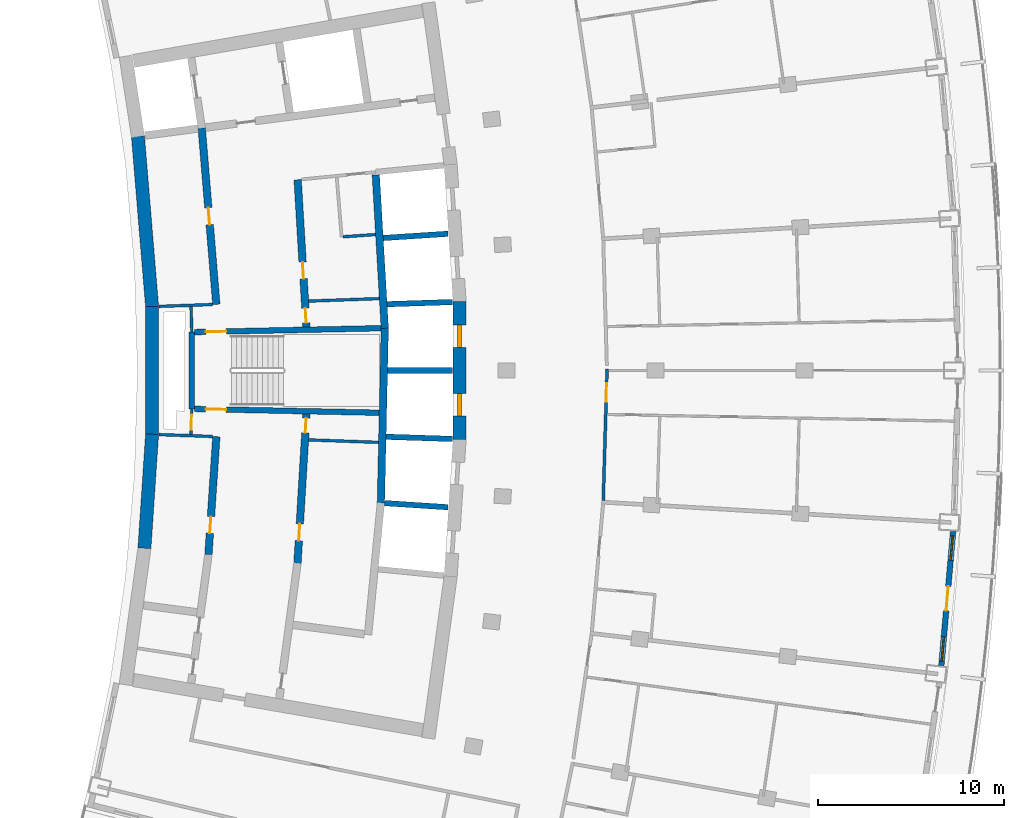
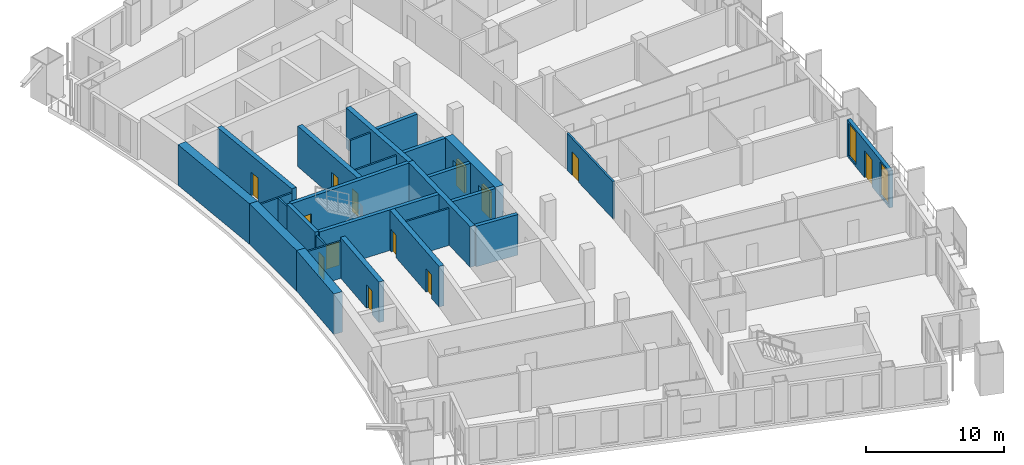
# One storey, part 12 of 20: 27 walls, 13 doors, 2 windows, 15 openings.
"""IFC4 building model written with IfcOpenShell, lengths in metres."""

from ifc_helpers import new_model, si_unit, direction, frame, frame_2d, origin, place, context, subcontext, project, spatial, rectangle, extrude, material, layer, layer_set, type_object, element, fill, save


model = new_model("IFC4")

# Units and contexts
model_context = context("Model", 3, precision=1e-05, world=origin(), true_north=direction((0.0, 1.0)))
body_context = subcontext(model_context, "Body", "Model", "MODEL_VIEW")
ifc_project = project(units=[si_unit("LENGTHUNIT", "METRE"), si_unit("AREAUNIT", "SQUARE_METRE"), si_unit("VOLUMEUNIT", "CUBIC_METRE"), si_unit("PLANEANGLEUNIT", "RADIAN"), si_unit("MASSUNIT", "GRAM", prefix="KILO")], contexts=[model_context])

# Site, building, storey
site_placement = place(None, origin())
site = spatial("IfcSite", under=ifc_project, at=site_placement, CompositionType="ELEMENT")
building_placement = place(site_placement, origin())
building = spatial("IfcBuilding", under=site, at=building_placement, Name="Alderwake Tower", CompositionType="ELEMENT")
storey_placement = place(building_placement, frame((0.0, 0.0, 153.199951171875)))
storey = spatial("IfcBuildingStorey", under=building, at=storey_placement, Name="L37", CompositionType="ELEMENT", Elevation=153.199951171875)

# Walls
ifc_material_1 = material(Name="Gypsum shaft wall system, rated")
ifc_layer_1 = layer(ifc_material_1, 0.14990234375)
ifc_layer_set_1 = layer_set([ifc_layer_1], Name="Core riser partition 150")
wall_type_1 = type_object("IfcWallType", Name="Core riser partition 150", PredefinedType="PARTITIONING", material=ifc_layer_set_1)
wall_1_placement = place(storey_placement, frame((25.1904296875, 57.276611328125, 0.0), z_axis=(0.0, 0.0, 1.0), x_axis=(0.99937350076, -0.035392173974, 0.0)))
element("IfcWall", 1, at=wall_1_placement, inside=storey, type_object=wall_type_1, Name="CW/L37/PR-37_+86", PredefinedType="PARTITIONING", context=body_context, shape_type="SweptSolid", body=[
    extrude(rectangle(XDim=3.752685546875, YDim=0.14990234375, at=frame_2d((1.87646484375, 0.0))), origin(), (0.0, 0.0, 1.0), 3.280029296875),
])
wall_2_placement = place(storey_placement, frame((25.191162109375, 64.723388671875, 0.0), z_axis=(0.0, 0.0, 1.0), x_axis=(0.999373627871, 0.035388584556, 0.0)))
element("IfcWall", 2, at=wall_2_placement, inside=storey, type_object=wall_type_1, Name="CW/L37/PR+37_+86", PredefinedType="PARTITIONING", context=body_context, shape_type="SweptSolid", body=[
    extrude(rectangle(XDim=3.79443359375, YDim=0.14990234375, at=frame_2d((1.897216796875, 0.0))), origin(), (0.0, 0.0, 1.0), 3.280029296875),
])

# Wall, opening, door
ifc_material_2 = material(Name="Gypsum shaft wall system, rated")
ifc_layer_2 = layer(ifc_material_2, 0.14990234375)
ifc_layer_set_2 = layer_set([ifc_layer_2], Name="Core room partition 150")
wall_type_2 = type_object("IfcWallType", Name="Core room partition 150", PredefinedType="PARTITIONING", material=ifc_layer_set_2)
wall_3_placement = place(storey_placement, frame((18.918701171875, 58.94384765625, 0.0), z_axis=(0.0, 0.0, 1.0), x_axis=(-0.027811602725, -0.999613182563, 0.0)))
wall_3 = element("IfcWall", 3, at=wall_3_placement, inside=storey, type_object=wall_type_2, Name="CW/L37/PA+24_-37", PredefinedType="PARTITIONING", context=body_context, shape_type="SweptSolid", body=[
    extrude(rectangle(XDim=1.369384765625, YDim=0.14990234375, at=frame_2d((0.6845703125, 0.0))), origin(), (0.0, 0.0, 1.0), 3.280029296875),
])
opening_1_placement = place(wall_3_placement, frame((0.322998046875, 0.0, 0.0)))
opening_1 = element("IfcOpeningElement", 4, at=opening_1_placement, cuts=wall_3, Name="Opening C004", PredefinedType="OPENING", context=body_context, shape_type="SweptSolid", body=[
    extrude(rectangle(XDim=0.800048828125, YDim=2.0, at=frame_2d((0.39990234375, 1.0))), frame((0.0, 0.0849609375, 0.0), z_axis=(0.0, -1.0, 0.0), x_axis=(1.0, 0.0, 0.0)), (0.0, 0.0, 1.0), 0.169921875),
])
ifc_material_3 = material(Name="Painted steel leaf, rated", Category="steel")
door_type_1 = type_object("IfcDoorType", Name="Riser access door 800", OperationType="SINGLE_SWING_LEFT", PredefinedType="DOOR", material=ifc_material_3)
door_1_placement = place(opening_1_placement, origin())
door_1 = element("IfcDoor", 5, at=door_1_placement, inside=storey, type_object=door_type_1, Name="Riser access door", OperationType="SINGLE_SWING_RIGHT", OverallHeight=2.0, OverallWidth=0.800048828125, PredefinedType="DOOR", context=body_context, shape_type="SweptSolid", body=[
    extrude(rectangle(XDim=0.800048828125, YDim=2.0, at=frame_2d((0.39990234375, 1.0))), frame((0.0, 0.02490234375, 0.0), z_axis=(0.0, -1.0, 0.0), x_axis=(1.0, 0.0, 0.0)), (0.0, 0.0, 1.0), 0.050048828125),
])
fill(opening_1, door_1)

# Walls
wall_4_placement = place(storey_placement, frame((18.918701171875, 63.05517578125, 0.0), z_axis=(0.0, 0.0, 1.0), x_axis=(-0.027791791559, 0.99961373356, 0.0)))
element("IfcWall", 6, at=wall_4_placement, inside=storey, type_object=wall_type_2, Name="CW/L37/PA+24_+22", PredefinedType="PARTITIONING", context=body_context, shape_type="SweptSolid", body=[
    extrude(rectangle(XDim=1.370361328125, YDim=0.14990234375, at=frame_2d((0.68505859375, 0.0))), origin(), (0.0, 0.0, 1.0), 3.280029296875),
])
wall_5_placement = place(storey_placement, frame((17.169189453125, 57.560546875, 0.0), z_axis=(0.0, 0.0, 1.0), x_axis=(0.999373538371, -0.03539111194, 0.0)))
element("IfcWall", 7, at=wall_5_placement, inside=storey, type_object=wall_type_2, Name="CW/L37/PR-37_+0", PredefinedType="PARTITIONING", context=body_context, shape_type="SweptSolid", body=[
    extrude(rectangle(XDim=2.86962890625, YDim=0.14990234375, at=frame_2d((1.434814453125, 0.0))), origin(), (0.0, 0.0, 1.0), 3.280029296875),
])
wall_6_placement = place(storey_placement, frame((17.16943359375, 64.439453125, 0.0), z_axis=(0.0, 0.0, 1.0), x_axis=(0.999373431798, 0.035394121201, 0.0)))
element("IfcWall", 8, at=wall_6_placement, inside=storey, type_object=wall_type_2, Name="CW/L37/PR+37_+0", PredefinedType="PARTITIONING", context=body_context, shape_type="SweptSolid", body=[
    extrude(rectangle(XDim=2.869384765625, YDim=0.14990234375, at=frame_2d((1.4345703125, 0.0))), origin(), (0.0, 0.0, 1.0), 3.280029296875),
])
wall_7_placement = place(storey_placement, frame((27.034912109375, 68.175537109375, 0.0), z_axis=(0.0, 0.0, 1.0), x_axis=(0.997757929195, 0.066926188655, 0.0)))
element("IfcWall", 9, at=wall_7_placement, inside=storey, type_object=wall_type_2, Name="CW/L37/PR+70_+107", PredefinedType="PARTITIONING", context=body_context, shape_type="SweptSolid", body=[
    extrude(rectangle(XDim=1.7509765625, YDim=0.14990234375, at=frame_2d((0.87548828125, 0.0))), origin(), (0.0, 0.0, 1.0), 3.280029296875),
])
ifc_material_4 = material(Name="Concrete C70/85", Category="concrete")
ifc_layer_3 = layer(ifc_material_4, 0.699951171875)
ifc_layer_set_3 = layer_set([ifc_layer_3], Name="Core wall outer 700 C70-85")
wall_type_3 = type_object("IfcWallType", Name="Core wall outer 700 C70-85", PredefinedType="SHEAR", material=ifc_layer_set_3)
wall_8_placement = place(storey_placement, frame((16.379638671875, 51.46337890625, 0.0), z_axis=(0.0, 0.0, 1.0), x_axis=(0.066917731608, 0.997758496429, 0.0)))
element("IfcWall", 10, at=wall_8_placement, inside=storey, type_object=wall_type_3, Name="Core wall CW.041", PredefinedType="SHEAR", context=body_context, shape_type="SweptSolid", body=[
    extrude(rectangle(XDim=6.136474609375, YDim=0.699951171875, at=frame_2d((3.068359375, 0.0))), origin(), (0.0, 0.0, 1.0), 3.60009765625),
])
wall_9_placement = place(storey_placement, frame((16.789306640625, 57.561767578125, 0.0), z_axis=(0.0, 0.0, 1.0), x_axis=(0.0, 1.0, 0.0)))
element("IfcWall", 11, at=wall_9_placement, inside=storey, type_object=wall_type_3, Name="Core wall CW.043", PredefinedType="SHEAR", context=body_context, shape_type="SweptSolid", body=[
    extrude(rectangle(XDim=6.87939453125, YDim=0.699951171875, at=frame_2d((3.439697265625, 0.0))), origin(), (0.0, 0.0, 1.0), 3.60009765625),
])
wall_10_placement = place(storey_placement, frame((16.79052734375, 64.4111328125, 0.0), z_axis=(0.0, 0.0, 1.0), x_axis=(-0.082616907099, 0.996581379849, 0.0)))
element("IfcWall", 12, at=wall_10_placement, inside=storey, type_object=wall_type_3, Name="Core wall CW.040", PredefinedType="SHEAR", context=body_context, shape_type="SweptSolid", body=[
    extrude(rectangle(XDim=9.193359375, YDim=0.699951171875, at=frame_2d((4.5966796875, 0.0))), origin(), (0.0, 0.0, 1.0), 3.60009765625),
])

# Wall, openings, doors
wall_11_placement = place(storey_placement, frame((33.2900390625, 57.30322265625, 0.0), z_axis=(0.0, 0.0, 1.0), x_axis=(0.0, 1.0, 0.0)))
wall_11 = element("IfcWall", 13, at=wall_11_placement, inside=storey, type_object=wall_type_3, Name="Core wall CW.013", PredefinedType="SHEAR", context=body_context, shape_type="SweptSolid", body=[
    extrude(rectangle(XDim=7.3935546875, YDim=0.699951171875, at=frame_2d((3.69677734375, 0.0))), origin(), (0.0, 0.0, 1.0), 3.60009765625),
])
opening_2_placement = place(wall_11_placement, frame((1.254150390625, 0.0, 0.0)))
opening_2 = element("IfcOpeningElement", 14, at=opening_2_placement, cuts=wall_11, Name="Opening LD-HP3", PredefinedType="OPENING", context=body_context, shape_type="SweptSolid", body=[
    extrude(rectangle(XDim=1.199951171875, YDim=2.300048828125, at=frame_2d((0.60009765625, 1.14990234375))), frame((0.0, 0.35986328125, 0.0), z_axis=(0.0, -1.0, 0.0), x_axis=(1.0, 0.0, 0.0)), (0.0, 0.0, 1.0), 0.719970703125),
])
opening_3_placement = place(wall_11_placement, frame((4.939208984375, 0.0, 0.0)))
opening_3 = element("IfcOpeningElement", 15, at=opening_3_placement, cuts=wall_11, Name="Opening LD-HP4", PredefinedType="OPENING", context=body_context, shape_type="SweptSolid", body=[
    extrude(rectangle(XDim=1.199951171875, YDim=2.300048828125, at=frame_2d((0.60009765625, 1.14990234375))), frame((0.0, 0.35986328125, 0.0), z_axis=(0.0, -1.0, 0.0), x_axis=(1.0, 0.0, 0.0)), (0.0, 0.0, 1.0), 0.719970703125),
])
ifc_material_5 = material(Name="Stainless steel sliding leaf", Category="steel")
door_type_2 = type_object("IfcDoorType", Name="Lift landing door 1200", OperationType="SLIDING_TO_LEFT", PredefinedType="DOOR", material=ifc_material_5)
door_2_placement = place(opening_2_placement, origin())
door_2 = element("IfcDoor", 16, at=door_2_placement, inside=storey, type_object=door_type_2, Name="Lift landing door HP3", OperationType="SLIDING_TO_LEFT", OverallHeight=2.300048828125, OverallWidth=1.199951171875, PredefinedType="DOOR", context=body_context, shape_type="SweptSolid", body=[
    extrude(rectangle(XDim=1.199951171875, YDim=2.300048828125, at=frame_2d((0.60009765625, 1.14990234375))), frame((0.0, 0.10009765625, 0.0), z_axis=(0.0, -1.0, 0.0), x_axis=(1.0, 0.0, 0.0)), (0.0, 0.0, 1.0), 0.199951171875),
])
fill(opening_2, door_2)
door_3_placement = place(opening_3_placement, origin())
door_3 = element("IfcDoor", 17, at=door_3_placement, inside=storey, type_object=door_type_2, Name="Lift landing door HP4", OperationType="SLIDING_TO_LEFT", OverallHeight=2.300048828125, OverallWidth=1.199951171875, PredefinedType="DOOR", context=body_context, shape_type="SweptSolid", body=[
    extrude(rectangle(XDim=1.199951171875, YDim=2.300048828125, at=frame_2d((0.60009765625, 1.14990234375))), frame((0.0, 0.10009765625, 0.0), z_axis=(0.0, -1.0, 0.0), x_axis=(1.0, 0.0, 0.0)), (0.0, 0.0, 1.0), 0.199951171875),
])
fill(opening_3, door_3)

# Walls
ifc_material_6 = material(Name="Concrete C70/85", Category="concrete")
ifc_layer_4 = layer(ifc_material_6, 0.300048828125)
ifc_layer_set_4 = layer_set([ifc_layer_4], Name="Core wall shaft 300 C70-85")
wall_type_4 = type_object("IfcWallType", Name="Core wall shaft 300 C70-85", PredefinedType="SHEAR", material=ifc_layer_set_4)
wall_12_placement = place(storey_placement, frame((29.268798828125, 53.884521484375, 0.0), z_axis=(0.0, 0.0, 1.0), x_axis=(0.997884450261, -0.065012490553, 0.0)))
element("IfcWall", 18, at=wall_12_placement, inside=storey, type_object=wall_type_4, Name="Core wall CW.078", PredefinedType="SHEAR", context=body_context, shape_type="SweptSolid", body=[
    extrude(rectangle(XDim=3.409912109375, YDim=0.300048828125, at=frame_2d((1.705078125, 0.0))), origin(), (0.0, 0.0, 1.0), 3.60009765625),
])
wall_13_placement = place(storey_placement, frame((29.347412109375, 57.443603515625, 0.0), z_axis=(0.0, 0.0, 1.0), x_axis=(0.999470674121, -0.03253262319, 0.0)))
element("IfcWall", 19, at=wall_13_placement, inside=storey, type_object=wall_type_4, Name="Core wall CW.075", PredefinedType="SHEAR", context=body_context, shape_type="SweptSolid", body=[
    extrude(rectangle(XDim=3.564697265625, YDim=0.300048828125, at=frame_2d((1.7822265625, 0.0))), origin(), (0.0, 0.0, 1.0), 3.60009765625),
])
wall_14_placement = place(storey_placement, frame((29.426025390625, 61.0, 0.0), z_axis=(0.0, 0.0, 1.0), x_axis=(1.0, 0.0, 0.0)))
element("IfcWall", 20, at=wall_14_placement, inside=storey, type_object=wall_type_4, Name="Core wall CW.048", PredefinedType="SHEAR", context=body_context, shape_type="SweptSolid", body=[
    extrude(rectangle(XDim=3.484130859375, YDim=0.300048828125, at=frame_2d((1.7421875, 0.0))), origin(), (0.0, 0.0, 1.0), 3.60009765625),
])
wall_15_placement = place(storey_placement, frame((29.401611328125, 64.558349609375, 0.0), z_axis=(0.0, 0.0, 1.0), x_axis=(0.999472422829, 0.032478854739, 0.0)))
element("IfcWall", 21, at=wall_15_placement, inside=storey, type_object=wall_type_4, Name="Core wall CW.058", PredefinedType="SHEAR", context=body_context, shape_type="SweptSolid", body=[
    extrude(rectangle(XDim=3.510498046875, YDim=0.300048828125, at=frame_2d((1.75537109375, 0.0))), origin(), (0.0, 0.0, 1.0), 3.60009765625),
])
wall_16_placement = place(storey_placement, frame((29.193603515625, 68.110595703125, 0.0), z_axis=(0.0, 0.0, 1.0), x_axis=(0.997884751549, 0.065007865878, 0.0)))
element("IfcWall", 22, at=wall_16_placement, inside=storey, type_object=wall_type_4, Name="Core wall CW.061", PredefinedType="SHEAR", context=body_context, shape_type="SweptSolid", body=[
    extrude(rectangle(XDim=3.485107421875, YDim=0.300048828125, at=frame_2d((1.74267578125, 0.0))), origin(), (0.0, 0.0, 1.0), 3.60009765625),
])

# Wall, opening, door
ifc_material_7 = material(Name="Concrete C70/85", Category="concrete")
ifc_layer_5 = layer(ifc_material_7, 0.39990234375)
ifc_layer_set_5 = layer_set([ifc_layer_5], Name="Core wall spine 400 C70-85")
wall_type_5 = type_object("IfcWallType", Name="Core wall spine 400 C70-85", PredefinedType="SHEAR", material=ifc_layer_set_5)
wall_17_placement = place(storey_placement, frame((20.2373046875, 57.451904296875, 0.0), z_axis=(0.0, 0.0, 1.0), x_axis=(-0.066887252767, -0.997760540118, 0.0)))
wall_17 = element("IfcWall", 23, at=wall_17_placement, inside=storey, type_object=wall_type_5, Name="Core wall CW.032", PredefinedType="SHEAR", context=body_context, shape_type="SweptSolid", body=[
    extrude(rectangle(XDim=6.33642578125, YDim=0.39990234375, at=frame_2d((3.168212890625, 0.0))), origin(), (0.0, 0.0, 1.0), 3.60009765625),
])
opening_4_placement = place(wall_17_placement, frame((4.29736328125, 0.0, 0.0)))
opening_4 = element("IfcOpeningElement", 24, at=opening_4_placement, cuts=wall_17, Name="Opening C037", PredefinedType="OPENING", context=body_context, shape_type="SweptSolid", body=[
    extrude(rectangle(XDim=0.89990234375, YDim=2.10009765625, at=frame_2d((0.449951171875, 1.050048828125))), frame((0.0, 0.2099609375, 0.0), z_axis=(0.0, -1.0, 0.0), x_axis=(1.0, 0.0, 0.0)), (0.0, 0.0, 1.0), 0.419921875),
])
ifc_material_8 = material(Name="Painted steel leaf", Category="steel")
door_type_3 = type_object("IfcDoorType", Name="Core room door 900", OperationType="SINGLE_SWING_LEFT", PredefinedType="DOOR", material=ifc_material_8)
door_4_placement = place(opening_4_placement, origin())
door_4 = element("IfcDoor", 25, at=door_4_placement, inside=storey, type_object=door_type_3, Name="Room door", OperationType="SINGLE_SWING_RIGHT", OverallHeight=2.10009765625, OverallWidth=0.89990234375, PredefinedType="DOOR", context=body_context, shape_type="SweptSolid", body=[
    extrude(rectangle(XDim=0.89990234375, YDim=2.10009765625, at=frame_2d((0.449951171875, 1.050048828125))), frame((0.0, 0.02490234375, 0.0), z_axis=(0.0, -1.0, 0.0), x_axis=(1.0, 0.0, 0.0)), (0.0, 0.0, 1.0), 0.050048828125),
])
fill(opening_4, door_4)

wall_18_placement = place(storey_placement, frame((19.452392578125, 74.014892578125, 0.0), z_axis=(0.0, 0.0, 1.0), x_axis=(0.082628585297, -0.996580411654, 0.0)))
wall_18 = element("IfcWall", 26, at=wall_18_placement, inside=storey, type_object=wall_type_5, Name="Core wall CW.031", PredefinedType="SHEAR", context=body_context, shape_type="SweptSolid", body=[
    extrude(rectangle(XDim=9.499267578125, YDim=0.39990234375, at=frame_2d((4.74951171875, 0.0))), origin(), (0.0, 0.0, 1.0), 3.60009765625),
])
opening_5_placement = place(wall_18_placement, frame((4.302978515625, 0.0, 0.0)))
opening_5 = element("IfcOpeningElement", 27, at=opening_5_placement, cuts=wall_18, Name="Opening C051", PredefinedType="OPENING", context=body_context, shape_type="SweptSolid", body=[
    extrude(rectangle(XDim=0.89990234375, YDim=2.10009765625, at=frame_2d((0.449951171875, 1.050048828125))), frame((0.0, 0.2099609375, 0.0), z_axis=(0.0, -1.0, 0.0), x_axis=(1.0, 0.0, 0.0)), (0.0, 0.0, 1.0), 0.419921875),
])
door_5_placement = place(opening_5_placement, origin())
door_5 = element("IfcDoor", 28, at=door_5_placement, inside=storey, type_object=door_type_3, Name="Room door", OperationType="SINGLE_SWING_RIGHT", OverallHeight=2.10009765625, OverallWidth=0.89990234375, PredefinedType="DOOR", context=body_context, shape_type="SweptSolid", body=[
    extrude(rectangle(XDim=0.89990234375, YDim=2.10009765625, at=frame_2d((0.449951171875, 1.050048828125))), frame((0.0, 0.02490234375, 0.0), z_axis=(0.0, -1.0, 0.0), x_axis=(1.0, 0.0, 0.0)), (0.0, 0.0, 1.0), 0.050048828125),
])
fill(opening_5, door_5)

# Wall, openings, doors
wall_19_placement = place(storey_placement, frame((24.590087890625, 50.656982421875, 0.0), z_axis=(0.0, 0.0, 1.0), x_axis=(0.060320473855, 0.99817906231, 0.0)))
wall_19 = element("IfcWall", 29, at=wall_19_placement, inside=storey, type_object=wall_type_5, Name="Core wall CW.046", PredefinedType="SHEAR", context=body_context, shape_type="SweptSolid", body=[
    extrude(rectangle(XDim=8.02197265625, YDim=0.39990234375, at=frame_2d((4.010986328125, 0.0))), origin(), (0.0, 0.0, 1.0), 3.60009765625),
])
opening_6_placement = place(wall_19_placement, frame((7.005859375, 0.0, 0.0)))
opening_6 = element("IfcOpeningElement", 30, at=opening_6_placement, cuts=wall_19, Name="Opening C006", PredefinedType="OPENING", context=body_context, shape_type="SweptSolid", body=[
    extrude(rectangle(XDim=0.800048828125, YDim=2.0, at=frame_2d((0.39990234375, 1.0))), frame((0.0, 0.2099609375, 0.0), z_axis=(0.0, -1.0, 0.0), x_axis=(1.0, 0.0, 0.0)), (0.0, 0.0, 1.0), 0.419921875),
])
opening_7_placement = place(wall_19_placement, frame((1.21533203125, 0.0, 0.0)))
opening_7 = element("IfcOpeningElement", 31, at=opening_7_placement, cuts=wall_19, Name="Opening C043", PredefinedType="OPENING", context=body_context, shape_type="SweptSolid", body=[
    extrude(rectangle(XDim=0.89990234375, YDim=2.10009765625, at=frame_2d((0.449951171875, 1.050048828125))), frame((0.0, 0.2099609375, 0.0), z_axis=(0.0, -1.0, 0.0), x_axis=(1.0, 0.0, 0.0)), (0.0, 0.0, 1.0), 0.419921875),
])
door_6_placement = place(opening_7_placement, origin())
door_6 = element("IfcDoor", 32, at=door_6_placement, inside=storey, type_object=door_type_3, Name="Room door", OperationType="SINGLE_SWING_LEFT", OverallHeight=2.10009765625, OverallWidth=0.89990234375, PredefinedType="DOOR", context=body_context, shape_type="SweptSolid", body=[
    extrude(rectangle(XDim=0.89990234375, YDim=2.10009765625, at=frame_2d((0.449951171875, 1.050048828125))), frame((0.0, 0.02490234375, 0.0), z_axis=(0.0, -1.0, 0.0), x_axis=(1.0, 0.0, 0.0)), (0.0, 0.0, 1.0), 0.050048828125),
])
fill(opening_7, door_6)
door_7_placement = place(opening_6_placement, origin())
door_7 = element("IfcDoor", 33, at=door_7_placement, inside=storey, type_object=door_type_1, Name="Riser access door", OperationType="SINGLE_SWING_RIGHT", OverallHeight=2.0, OverallWidth=0.800048828125, PredefinedType="DOOR", context=body_context, shape_type="SweptSolid", body=[
    extrude(rectangle(XDim=0.800048828125, YDim=2.0, at=frame_2d((0.39990234375, 1.0))), frame((0.0, 0.02490234375, 0.0), z_axis=(0.0, -1.0, 0.0), x_axis=(1.0, 0.0, 0.0)), (0.0, 0.0, 1.0), 0.050048828125),
])
fill(opening_6, door_7)

wall_20_placement = place(storey_placement, frame((25.073974609375, 63.335693359375, 0.0), z_axis=(0.0, 0.0, 1.0), x_axis=(-0.059848641072, 0.998207463487, 0.0)))
wall_20 = element("IfcWall", 34, at=wall_20_placement, inside=storey, type_object=wall_type_5, Name="Core wall CW.045", PredefinedType="SHEAR", context=body_context, shape_type="SweptSolid", body=[
    extrude(rectangle(XDim=7.913818359375, YDim=0.39990234375, at=frame_2d((3.95703125, 0.0))), origin(), (0.0, 0.0, 1.0), 3.60009765625),
])
opening_8_placement = place(wall_20_placement, frame((0.216064453125, 0.0, 0.0)))
opening_8 = element("IfcOpeningElement", 35, at=opening_8_placement, cuts=wall_20, Name="Opening C005", PredefinedType="OPENING", context=body_context, shape_type="SweptSolid", body=[
    extrude(rectangle(XDim=0.800048828125, YDim=2.0, at=frame_2d((0.39990234375, 1.0))), frame((0.0, 0.2099609375, 0.0), z_axis=(0.0, -1.0, 0.0), x_axis=(1.0, 0.0, 0.0)), (0.0, 0.0, 1.0), 0.419921875),
])
opening_9_placement = place(wall_20_placement, frame((2.590087890625, 0.0, 0.0)))
opening_9 = element("IfcOpeningElement", 36, at=opening_9_placement, cuts=wall_20, Name="Opening C058", PredefinedType="OPENING", context=body_context, shape_type="SweptSolid", body=[
    extrude(rectangle(XDim=0.89990234375, YDim=2.10009765625, at=frame_2d((0.449951171875, 1.050048828125))), frame((0.0, 0.2099609375, 0.0), z_axis=(0.0, -1.0, 0.0), x_axis=(1.0, 0.0, 0.0)), (0.0, 0.0, 1.0), 0.419921875),
])
door_8_placement = place(opening_9_placement, origin())
door_8 = element("IfcDoor", 37, at=door_8_placement, inside=storey, type_object=door_type_3, Name="Room door", OperationType="SINGLE_SWING_LEFT", OverallHeight=2.10009765625, OverallWidth=0.89990234375, PredefinedType="DOOR", context=body_context, shape_type="SweptSolid", body=[
    extrude(rectangle(XDim=0.89990234375, YDim=2.10009765625, at=frame_2d((0.449951171875, 1.050048828125))), frame((0.0, 0.02490234375, 0.0), z_axis=(0.0, -1.0, 0.0), x_axis=(1.0, 0.0, 0.0)), (0.0, 0.0, 1.0), 0.050048828125),
])
fill(opening_9, door_8)
door_9_placement = place(opening_8_placement, origin())
door_9 = element("IfcDoor", 38, at=door_9_placement, inside=storey, type_object=door_type_1, Name="Riser access door", OperationType="SINGLE_SWING_LEFT", OverallHeight=2.0, OverallWidth=0.800048828125, PredefinedType="DOOR", context=body_context, shape_type="SweptSolid", body=[
    extrude(rectangle(XDim=0.800048828125, YDim=2.0, at=frame_2d((0.39990234375, 1.0))), frame((0.0, 0.02490234375, 0.0), z_axis=(0.0, -1.0, 0.0), x_axis=(1.0, 0.0, 0.0)), (0.0, 0.0, 1.0), 0.050048828125),
])
fill(opening_8, door_9)

# Walls
wall_21_placement = place(storey_placement, frame((29.06884765625, 53.889404296875, 0.0), z_axis=(0.0, 0.0, 1.0), x_axis=(0.022115148322, 0.9997554302, 0.0)))
element("IfcWall", 39, at=wall_21_placement, inside=storey, type_object=wall_type_5, Name="Core wall CW.008", PredefinedType="SHEAR", context=body_context, shape_type="SweptSolid", body=[
    extrude(rectangle(XDim=9.39453125, YDim=0.39990234375, at=frame_2d((4.697265625, 0.0))), origin(), (0.0, 0.0, 1.0), 3.60009765625),
])
wall_22_placement = place(storey_placement, frame((29.27685546875, 63.2646484375, 0.0), z_axis=(0.0, 0.0, 1.0), x_axis=(-0.0584546922, 0.998290062537, 0.0)))
element("IfcWall", 40, at=wall_22_placement, inside=storey, type_object=wall_type_5, Name="Core wall CW.002", PredefinedType="SHEAR", context=body_context, shape_type="SweptSolid", body=[
    extrude(rectangle(XDim=8.24462890625, YDim=0.39990234375, at=frame_2d((4.122314453125, 0.0))), origin(), (0.0, 0.0, 1.0), 3.60009765625),
])
ifc_material_9 = material(Name="Concrete C70/85", Category="concrete")
ifc_layer_6 = layer(ifc_material_9, 0.300048828125)
ifc_layer_set_6 = layer_set([ifc_layer_6], Name="Core wall stair enclosure 300 C70-85")
wall_type_6 = type_object("IfcWallType", Name="Core wall stair enclosure 300 C70-85", PredefinedType="SHEAR", material=ifc_layer_set_6)
wall_23_placement = place(storey_placement, frame((18.918701171875, 58.940673828125, 0.0), z_axis=(0.0, 0.0, 1.0), x_axis=(0.0, 1.0, 0.0)))
element("IfcWall", 41, at=wall_23_placement, inside=storey, type_object=wall_type_6, Name="Core wall CW.024", PredefinedType="SHEAR", context=body_context, shape_type="SweptSolid", body=[
    extrude(rectangle(XDim=4.11962890625, YDim=0.300048828125, at=frame_2d((2.059814453125, 0.0))), origin(), (0.0, 0.0, 1.0), 3.60009765625),
])

# Wall, opening, door
wall_24_placement = place(storey_placement, frame((28.975830078125, 58.733154296875, 0.0), z_axis=(0.0, 0.0, 1.0), x_axis=(-0.999783782948, 0.020793925895, 0.0)))
wall_24 = element("IfcWall", 42, at=wall_24_placement, inside=storey, type_object=wall_type_6, Name="Core wall CW.074", PredefinedType="SHEAR", context=body_context, shape_type="SweptSolid", body=[
    extrude(rectangle(XDim=9.909423828125, YDim=0.300048828125, at=frame_2d((4.95458984375, 0.0))), origin(), (0.0, 0.0, 1.0), 3.60009765625),
])
opening_10_placement = place(wall_24_placement, frame((8.20947265625, 0.0, 0.0)))
opening_10 = element("IfcOpeningElement", 43, at=opening_10_placement, cuts=wall_24, Name="Opening C063", PredefinedType="OPENING", context=body_context, shape_type="SweptSolid", body=[
    extrude(rectangle(XDim=1.10009765625, YDim=2.10009765625, at=frame_2d((0.550048828125, 1.050048828125))), frame((0.0, 0.159912109375, 0.0), z_axis=(0.0, -1.0, 0.0), x_axis=(1.0, 0.0, 0.0)), (0.0, 0.0, 1.0), 0.320068359375),
])
ifc_material_10 = material(Name="Steel-framed fire door leaf", Category="steel")
door_type_4 = type_object("IfcDoorType", Name="Core stair door 1100 fire-rated", OperationType="SINGLE_SWING_LEFT", PredefinedType="DOOR", material=ifc_material_10)
door_10_placement = place(opening_10_placement, origin())
door_10 = element("IfcDoor", 44, at=door_10_placement, inside=storey, type_object=door_type_4, Name="Stair door", OperationType="SINGLE_SWING_LEFT", OverallHeight=2.10009765625, OverallWidth=1.10009765625, PredefinedType="DOOR", context=body_context, shape_type="SweptSolid", body=[
    extrude(rectangle(XDim=1.10009765625, YDim=2.10009765625, at=frame_2d((0.550048828125, 1.050048828125))), frame((0.0, 0.02490234375, 0.0), z_axis=(0.0, -1.0, 0.0), x_axis=(1.0, 0.0, 0.0)), (0.0, 0.0, 1.0), 0.050048828125),
])
fill(opening_10, door_10)

wall_25_placement = place(storey_placement, frame((19.068603515625, 63.060791015625, 0.0), z_axis=(0.0, 0.0, 1.0), x_axis=(0.999783553773, 0.02080494185, 0.0)))
wall_25 = element("IfcWall", 45, at=wall_25_placement, inside=storey, type_object=wall_type_6, Name="Core wall CW.057", PredefinedType="SHEAR", context=body_context, shape_type="SweptSolid", body=[
    extrude(rectangle(XDim=10.009765625, YDim=0.300048828125, at=frame_2d((5.0048828125, 0.0))), origin(), (0.0, 0.0, 1.0), 3.60009765625),
])
opening_11_placement = place(wall_25_placement, frame((0.60009765625, 0.0, 0.0)))
opening_11 = element("IfcOpeningElement", 46, at=opening_11_placement, cuts=wall_25, Name="Opening C064", PredefinedType="OPENING", context=body_context, shape_type="SweptSolid", body=[
    extrude(rectangle(XDim=1.10009765625, YDim=2.10009765625, at=frame_2d((0.550048828125, 1.050048828125))), frame((0.0, 0.159912109375, 0.0), z_axis=(0.0, -1.0, 0.0), x_axis=(1.0, 0.0, 0.0)), (0.0, 0.0, 1.0), 0.320068359375),
])
door_11_placement = place(opening_11_placement, origin())
door_11 = element("IfcDoor", 47, at=door_11_placement, inside=storey, type_object=door_type_4, Name="Stair door", OperationType="SINGLE_SWING_RIGHT", OverallHeight=2.10009765625, OverallWidth=1.10009765625, PredefinedType="DOOR", context=body_context, shape_type="SweptSolid", body=[
    extrude(rectangle(XDim=1.10009765625, YDim=2.10009765625, at=frame_2d((0.550048828125, 1.050048828125))), frame((0.0, 0.02490234375, 0.0), z_axis=(0.0, -1.0, 0.0), x_axis=(1.0, 0.0, 0.0)), (0.0, 0.0, 1.0), 0.050048828125),
])
fill(opening_11, door_11)

ifc_material_11 = material(Name="Gypsum board on metal studs, rated")
ifc_layer_7 = layer(ifc_material_11, 0.159912109375)
ifc_layer_set_7 = layer_set([ifc_layer_7], Name="Corridor wall 160")
wall_type_7 = type_object("IfcWallType", Name="Corridor wall 160", PredefinedType="PARTITIONING", material=ifc_layer_set_7)
wall_26_placement = place(storey_placement, frame((41.201416015625, 61.0791015625, 0.0), z_axis=(0.0, 0.0, 1.0), x_axis=(-0.028889070526, -0.999582623701, 0.0)))
wall_26 = element("IfcWall", 48, at=wall_26_placement, inside=storey, type_object=wall_type_7, Name="WL/L37/W26", PredefinedType="PARTITIONING", context=body_context, shape_type="SweptSolid", body=[
    extrude(rectangle(XDim=7.048095703125, YDim=0.159912109375, at=frame_2d((3.52392578125, 0.0))), origin(), (0.0, 0.0, 1.0), 3.280029296875),
])
opening_12_placement = place(wall_26_placement, frame((0.757080078125, 0.0, 0.0)))
opening_12 = element("IfcOpeningElement", 49, at=opening_12_placement, cuts=wall_26, Name="Opening R10-U05.2", PredefinedType="OPENING", context=body_context, shape_type="SweptSolid", body=[
    extrude(rectangle(XDim=1.0, YDim=2.10009765625, at=frame_2d((0.5, 1.050048828125))), frame((0.0, 0.08984375, 0.0), z_axis=(0.0, -1.0, 0.0), x_axis=(1.0, 0.0, 0.0)), (0.0, 0.0, 1.0), 0.179931640625),
])
ifc_material_12 = material(Name="Solid timber leaf in steel frame", Category="steel")
door_type_5 = type_object("IfcDoorType", Name="Flat entrance door 1000 fire-rated", OperationType="SINGLE_SWING_LEFT", PredefinedType="DOOR", material=ifc_material_12)
door_12_placement = place(opening_12_placement, origin())
door_12 = element("IfcDoor", 50, at=door_12_placement, inside=storey, type_object=door_type_5, Name="DR/L37/U05.2", OperationType="SINGLE_SWING_LEFT", OverallHeight=2.10009765625, OverallWidth=1.0, PredefinedType="DOOR", context=body_context, shape_type="SweptSolid", body=[
    extrude(rectangle(XDim=1.0, YDim=2.10009765625, at=frame_2d((0.5, 1.050048828125))), frame((0.0, 0.02490234375, 0.0), z_axis=(0.0, -1.0, 0.0), x_axis=(1.0, 0.0, 0.0)), (0.0, 0.0, 1.0), 0.050048828125),
])
fill(opening_12, door_12)

# Wall, openings, door, windows
ifc_material_13 = material(Name="Precast concrete C50/60 spandrel panel", Category="concrete")
ifc_layer_8 = layer(ifc_material_13, 0.300048828125)
ifc_layer_set_8 = layer_set([ifc_layer_8], Name="External wall EW1 Precast concrete C50/60 spandrel")
wall_type_8 = type_object("IfcWallType", Name="External wall EW1 Precast concrete C50/60 spandrel", PredefinedType="SOLIDWALL", material=ifc_layer_set_8)
wall_27_placement = place(storey_placement, frame((59.139404296875, 45.169189453125, 0.0), z_axis=(0.0, 0.0, 1.0), x_axis=(0.087383747715, 0.996174723949, 0.0)))
wall_27 = element("IfcWall", 51, at=wall_27_placement, inside=storey, type_object=wall_type_8, Name="External wall 14", PredefinedType="SOLIDWALL", context=body_context, shape_type="SweptSolid", body=[
    extrude(rectangle(XDim=7.22216796875, YDim=0.300048828125, at=frame_2d((3.611083984375, 0.0))), origin(), (0.0, 0.0, 1.0), 3.280029296875),
])
opening_13_placement = place(wall_27_placement, frame((0.2431640625, 0.0, 0.199951171875)))
opening_13 = element("IfcOpeningElement", 52, at=opening_13_placement, cuts=wall_27, Name="Opening W1", PredefinedType="OPENING", context=body_context, shape_type="SweptSolid", body=[
    extrude(rectangle(XDim=1.300048828125, YDim=2.89990234375, at=frame_2d((0.64990234375, 1.449951171875))), frame((0.0, 0.159912109375, 0.0), z_axis=(0.0, -1.0, 0.0), x_axis=(1.0, 0.0, 0.0)), (0.0, 0.0, 1.0), 0.320068359375),
])
opening_14_placement = place(wall_27_placement, frame((2.9609375, 0.0, 0.0)))
opening_14 = element("IfcOpeningElement", 53, at=opening_14_placement, cuts=wall_27, Name="Opening D03", PredefinedType="OPENING", context=body_context, shape_type="SweptSolid", body=[
    extrude(rectangle(XDim=1.300048828125, YDim=2.39990234375, at=frame_2d((0.64990234375, 1.199951171875))), frame((0.0, 0.159912109375, 0.0), z_axis=(0.0, -1.0, 0.0), x_axis=(1.0, 0.0, 0.0)), (0.0, 0.0, 1.0), 0.320068359375),
])
opening_15_placement = place(wall_27_placement, frame((5.678955078125, 0.0, 0.199951171875)))
opening_15 = element("IfcOpeningElement", 54, at=opening_15_placement, cuts=wall_27, Name="Opening W1", PredefinedType="OPENING", context=body_context, shape_type="SweptSolid", body=[
    extrude(rectangle(XDim=1.300048828125, YDim=2.89990234375, at=frame_2d((0.64990234375, 1.449951171875))), frame((0.0, 0.159912109375, 0.0), z_axis=(0.0, -1.0, 0.0), x_axis=(1.0, 0.0, 0.0)), (0.0, 0.0, 1.0), 0.320068359375),
])
ifc_material_14 = material(Name="Bronze tinted glass in aluminium frame", Category="aluminium")
door_type_6 = type_object("IfcDoorType", Name="Balcony door BD sliding", OperationType="SLIDING_TO_LEFT", PredefinedType="DOOR", material=ifc_material_14)
door_13_placement = place(opening_14_placement, origin())
door_13 = element("IfcDoor", 55, at=door_13_placement, inside=storey, type_object=door_type_6, Name="Door D03", OperationType="SLIDING_TO_LEFT", OverallHeight=2.39990234375, OverallWidth=1.300048828125, PredefinedType="DOOR", context=body_context, shape_type="SweptSolid", body=[
    extrude(rectangle(XDim=1.300048828125, YDim=2.39990234375, at=frame_2d((0.64990234375, 1.199951171875))), frame((0.0, 0.02490234375, 0.0), z_axis=(0.0, -1.0, 0.0), x_axis=(1.0, 0.0, 0.0)), (0.0, 0.0, 1.0), 0.050048828125),
])
fill(opening_14, door_13)
ifc_material_15 = material(Name="Bronze tinted glass in aluminium frame", Category="aluminium")
window_type = type_object("IfcWindowType", Name="Window W1 tall fixed and vent", PartitioningType="DOUBLE_PANEL_VERTICAL", PredefinedType="WINDOW", material=ifc_material_15)
window_1_placement = place(opening_13_placement, origin())
window_1 = element("IfcWindow", 56, at=window_1_placement, inside=storey, type_object=window_type, Name="Window W1 tall fixed and vent", OverallHeight=2.89990234375, OverallWidth=1.300048828125, PartitioningType="DOUBLE_PANEL_VERTICAL", PredefinedType="WINDOW", context=body_context, shape_type="SweptSolid", body=[
    extrude(rectangle(XDim=1.300048828125, YDim=2.89990234375, at=frame_2d((0.64990234375, 1.449951171875))), frame((0.0, 0.030029296875, 0.0), z_axis=(0.0, -1.0, 0.0), x_axis=(1.0, 0.0, 0.0)), (0.0, 0.0, 1.0), 0.06005859375),
])
fill(opening_13, window_1)
window_2_placement = place(opening_15_placement, origin())
window_2 = element("IfcWindow", 57, at=window_2_placement, inside=storey, type_object=window_type, Name="Window W1 tall fixed and vent", OverallHeight=2.89990234375, OverallWidth=1.300048828125, PartitioningType="DOUBLE_PANEL_VERTICAL", PredefinedType="WINDOW", context=body_context, shape_type="SweptSolid", body=[
    extrude(rectangle(XDim=1.300048828125, YDim=2.89990234375, at=frame_2d((0.64990234375, 1.449951171875))), frame((0.0, 0.030029296875, 0.0), z_axis=(0.0, -1.0, 0.0), x_axis=(1.0, 0.0, 0.0)), (0.0, 0.0, 1.0), 0.06005859375),
])
fill(opening_15, window_2)

save(model, "model.ifc")
